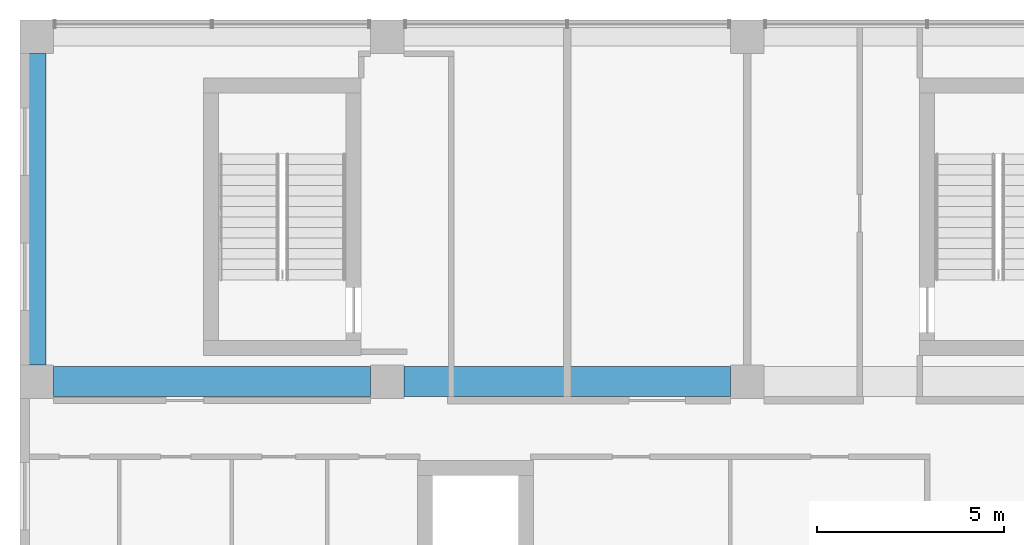
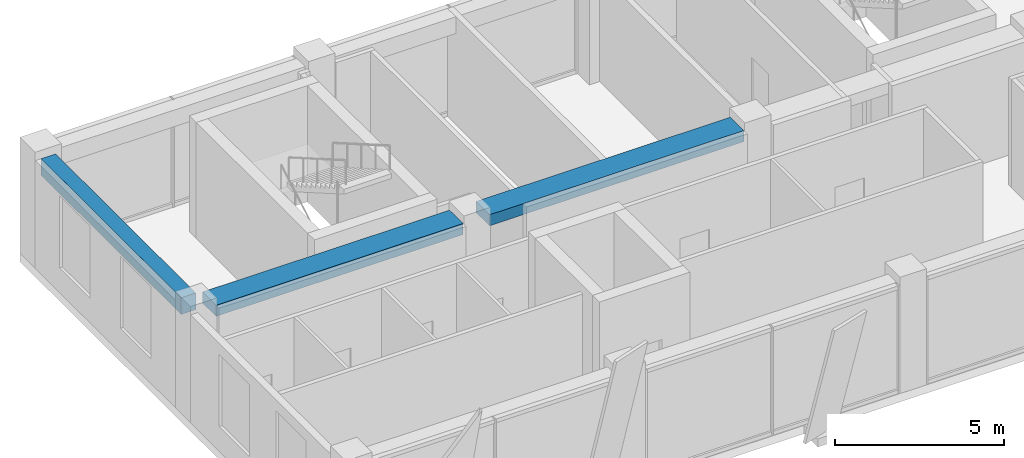
# One storey, part 20 of 38: 3 beams.
"""IFC4 building model written with IfcOpenShell, lengths in metres."""

from ifc_helpers import new_model, si_unit, direction, frame, origin, origin_2d, place, context, subcontext, project, spatial, rectangle, extrude, material, material_profile, profile_set, type_object, element, save


model = new_model("IFC4")

# Units and contexts
model_context = context("Model", 3, precision=1e-05, world=origin(), true_north=direction((0.0, 1.0)))
body_context = subcontext(model_context, "Body", "Model", "MODEL_VIEW")
ifc_project = project(units=[si_unit("LENGTHUNIT", "METRE"), si_unit("AREAUNIT", "SQUARE_METRE"), si_unit("VOLUMEUNIT", "CUBIC_METRE"), si_unit("PLANEANGLEUNIT", "RADIAN"), si_unit("MASSUNIT", "GRAM", prefix="KILO")], contexts=[model_context])

# Site, building, storey
site_placement = place(None, origin())
site = spatial("IfcSite", under=ifc_project, at=site_placement, CompositionType="ELEMENT")
building_placement = place(site_placement, origin())
building = spatial("IfcBuilding", under=site, at=building_placement, Name="Nzadi Deep Aquarium and Research Tower", CompositionType="ELEMENT")
storey_placement = place(building_placement, frame((0.0, 0.0, 52.89990234375)))
storey = spatial("IfcBuildingStorey", under=building, at=storey_placement, Name="L10", CompositionType="ELEMENT", Elevation=52.89990234375)

# Beams
ifc_material_1 = material(Name="Concrete C35/45", Category="concrete")
ifc_material_profile_1 = material_profile(ifc_material_1, rectangle(XDim=0.5, YDim=0.60009765625, at=origin_2d()))
ifc_profile_set_1 = profile_set([ifc_material_profile_1], Name="Concrete C35/45")
beam_type_1 = type_object("IfcBeamType", Name="RC 500x600", PredefinedType="BEAM", material=ifc_profile_set_1)
beam_1_placement = place(storey_placement, frame((0.25, 37.25, 3.60009765625), z_axis=(0.0, 1.0, 0.0), x_axis=(-1.0, 0.0, 0.0)))
element("IfcBeam", 1, at=beam_1_placement, inside=storey, type_object=beam_type_1, Name="B-Z1-L10-CA-2-4", PredefinedType="BEAM", context=body_context, shape_type="SweptSolid", body=[
    extrude(rectangle(XDim=0.5, YDim=0.60009765625, at=origin_2d()), origin(), (0.0, 0.0, 1.0), 8.300048828125),
])
ifc_material_2 = material(Name="Concrete C35/45", Category="concrete")
ifc_material_profile_2 = material_profile(ifc_material_2, rectangle(XDim=0.800048828125, YDim=0.39990234375, at=origin_2d()))
ifc_profile_set_2 = profile_set([ifc_material_profile_2], Name="Concrete C35/45")
beam_type_2 = type_object("IfcBeamType", Name="RC 800x400", PredefinedType="BEAM", material=ifc_profile_set_2)
beam_2_placement = place(storey_placement, frame((0.699951171875, 36.800048828125, 3.7001953125), z_axis=(1.0, 0.0, 0.0), x_axis=(0.0, 1.0, 0.0)))
element("IfcBeam", 2, at=beam_2_placement, inside=storey, type_object=beam_type_2, Name="B-Z1-L10-L5-1", PredefinedType="BEAM", context=body_context, shape_type="SweptSolid", body=[
    extrude(rectangle(XDim=0.800048828125, YDim=0.39990234375, at=origin_2d()), origin(), (0.0, 0.0, 1.0), 8.449951171875),
])
beam_3_placement = place(storey_placement, frame((10.050048828125, 36.800048828125, 3.7001953125), z_axis=(1.0, 0.0, 0.0), x_axis=(0.0, 1.0, 0.0)))
element("IfcBeam", 3, at=beam_3_placement, inside=storey, type_object=beam_type_2, Name="B-Z1-L10-L5-2", PredefinedType="BEAM", context=body_context, shape_type="SweptSolid", body=[
    extrude(rectangle(XDim=0.800048828125, YDim=0.39990234375, at=origin_2d()), origin(), (0.0, 0.0, 1.0), 8.699951171875),
])

save(model, "model.ifc")
